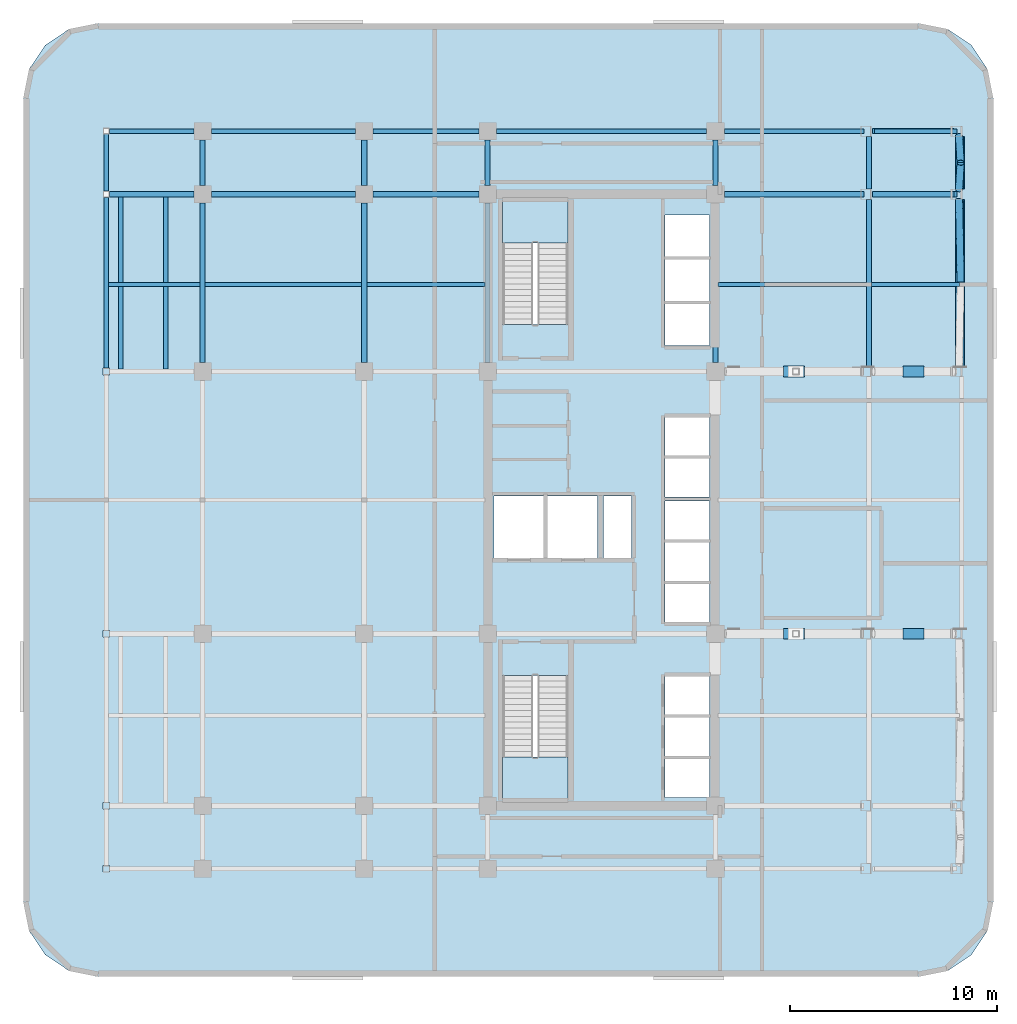
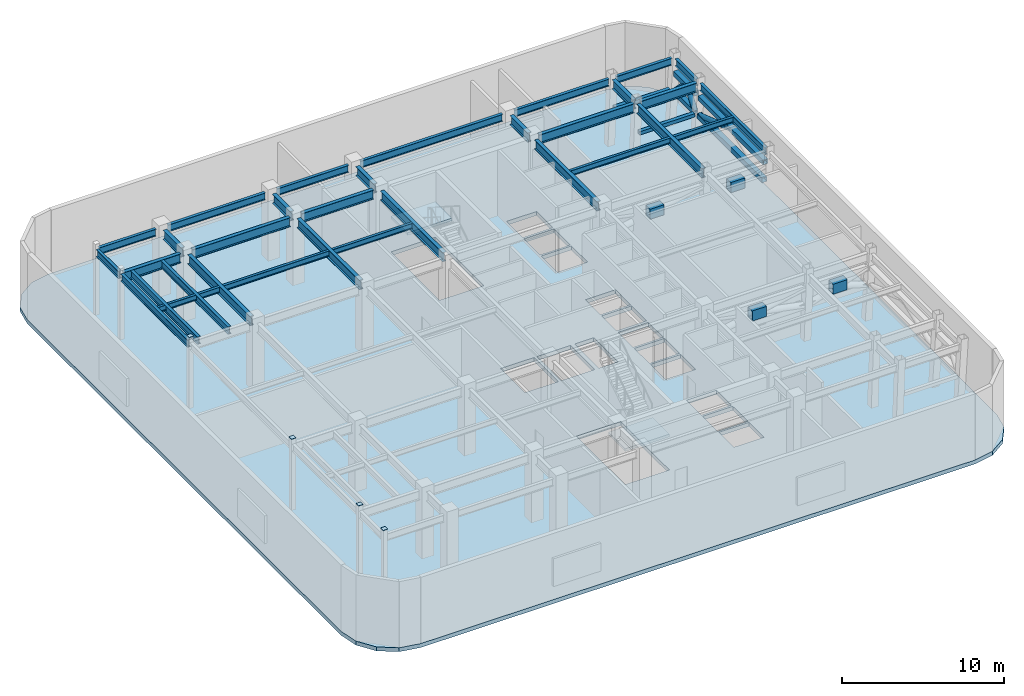
# One storey, part 6 of 14: 32 beams, 9 members, 8 plates, 3 slabs, 2 elements without a shape of their own.
"""IFC4 building model written with IfcOpenShell, lengths in metres."""

from ifc_helpers import new_model, si_unit, direction, frame, origin, origin_2d, place, context, subcontext, project, spatial, polyline, rectangle, hollow_rectangle, hollow_circle, i_section, outline, extrude, material, layer, layer_set, material_profile, profile_set, type_object, element, aggregate, save


model = new_model("IFC4")

# Units and contexts
model_context = context("Model", 3, precision=1e-05, world=origin(), true_north=direction((0.0, 1.0)))
body_context = subcontext(model_context, "Body", "Model", "MODEL_VIEW")
ifc_project = project(units=[si_unit("LENGTHUNIT", "METRE"), si_unit("AREAUNIT", "SQUARE_METRE"), si_unit("VOLUMEUNIT", "CUBIC_METRE"), si_unit("PLANEANGLEUNIT", "RADIAN"), si_unit("MASSUNIT", "GRAM", prefix="KILO")], contexts=[model_context])

# Site, building, storey
site_placement = place(None, origin())
site = spatial("IfcSite", under=ifc_project, at=site_placement, CompositionType="ELEMENT")
building_placement = place(site_placement, origin())
building = spatial("IfcBuilding", under=site, at=building_placement, Name="Ochreholt Gables", CompositionType="ELEMENT")
storey_placement = place(building_placement, frame((0.0, 0.0, 71.39990234375)))
storey = spatial("IfcBuildingStorey", under=building, at=storey_placement, Name="L18", CompositionType="ELEMENT", Elevation=71.39990234375)

# Beams
ifc_material_1 = material(Name="Steel CSA G40.21 350W", Category="steel")
ifc_material_profile_1 = material_profile(ifc_material_1, i_section(OverallWidth=0.2109375, OverallDepth=0.5390625, WebThickness=0.01171875, FlangeThickness=0.018798828125, at=origin_2d()), Name="W530X109")
ifc_profile_set_1 = profile_set([ifc_material_profile_1], Name="Steel CSA G40.21 350W")
beam_type_1 = type_object("IfcBeamType", Name="BM-G-W530A", PredefinedType="BEAM", material=ifc_profile_set_1)
for number, where, z_axis, x_axis, name in (
    (1, (6.5, 30.32763671875, 4.720703125), (0.0, 1.0, 0.0), (-1.0, 0.0, 0.0), "L18 Beam BTG-L18-19W2R"),
    (2, (8.679931640625, 30.32763671875, 4.720703125), (0.0, 1.0, 0.0), (-1.0, 0.0, 0.0), "L18 Beam BTG-L18-19W2E"),
):
    element("IfcBeam", number, at=place(storey_placement, frame(where, z_axis=z_axis, x_axis=x_axis)), inside=storey, type_object=beam_type_1, Name=name, PredefinedType="BEAM", context=body_context, shape_type="SweptSolid", body=[
        extrude(i_section(OverallWidth=0.2109375, OverallDepth=0.5390625, WebThickness=0.01171875, FlangeThickness=0.018798828125, at=origin_2d()), origin(), (0.0, 0.0, 1.0), 8.294677734375),
    ])
ifc_material_profile_2 = material_profile(ifc_material_1, i_section(OverallWidth=0.256103515625, OverallDepth=0.693115234375, WebThickness=0.014404296875, FlangeThickness=0.023681640625, at=origin_2d()), Name="W690X170")
ifc_profile_set_2 = profile_set([ifc_material_profile_2], Name="Steel CSA G40.21 350W")
beam_type_2 = type_object("IfcBeamType", Name="BM-G-W690", PredefinedType="BEAM", material=ifc_profile_set_2)
beam_1_placement = place(storey_placement, frame((5.9521484375, 38.75, 4.6435546875), z_axis=(1.0, 0.0, 0.0), x_axis=(0.0, 1.0, 0.0)))
element("IfcBeam", 3, at=beam_1_placement, inside=storey, type_object=beam_type_2, Name="L18 Beam TBG-L18-WTW2-Y5", PredefinedType="BEAM", context=body_context, shape_type="SweptSolid", body=[
    extrude(i_section(OverallWidth=0.256103515625, OverallDepth=0.693115234375, WebThickness=0.014404296875, FlangeThickness=0.023681640625, at=origin_2d()), origin(), (0.0, 0.0, 1.0), 4.0732421875),
])
beam_2_placement = place(storey_placement, frame((10.87451171875, 38.75, 4.6435546875), z_axis=(1.0, 0.0, 0.0), x_axis=(0.0, 1.0, 0.0)))
element("IfcBeam", 4, at=beam_2_placement, inside=storey, type_object=beam_type_2, Name="L18 Beam TBG-L18-W2W3-Y5", PredefinedType="BEAM", context=body_context, shape_type="SweptSolid", body=[
    extrude(i_section(OverallWidth=0.256103515625, OverallDepth=0.693115234375, WebThickness=0.014404296875, FlangeThickness=0.023681640625, at=origin_2d()), origin(), (0.0, 0.0, 1.0), 6.950927734375),
])
beam_3_placement = place(storey_placement, frame((18.674560546875, 38.75, 4.6435546875), z_axis=(1.0, 0.0, 0.0), x_axis=(0.0, 1.0, 0.0)))
element("IfcBeam", 5, at=beam_3_placement, inside=storey, type_object=beam_type_2, Name="L18 Beam TBG-L18-W3C1-Y5", PredefinedType="BEAM", context=body_context, shape_type="SweptSolid", body=[
    extrude(i_section(OverallWidth=0.256103515625, OverallDepth=0.693115234375, WebThickness=0.014404296875, FlangeThickness=0.023681640625, at=origin_2d()), origin(), (0.0, 0.0, 1.0), 5.100830078125),
])
beam_4_placement = place(storey_placement, frame((35.62451171875, 38.75, 4.6435546875), z_axis=(1.0, 0.0, 0.0), x_axis=(0.0, 1.0, 0.0)))
element("IfcBeam", 6, at=beam_4_placement, inside=storey, type_object=beam_type_2, Name="L18 Beam TBG-L18-C2EM-Y5", PredefinedType="BEAM", context=body_context, shape_type="SweptSolid", body=[
    extrude(i_section(OverallWidth=0.256103515625, OverallDepth=0.693115234375, WebThickness=0.014404296875, FlangeThickness=0.023681640625, at=origin_2d()), origin(), (0.0, 0.0, 1.0), 6.75),
])
beam_5_placement = place(storey_placement, frame((42.87353515625, 38.75, 4.6435546875), z_axis=(1.0, 0.0, 0.0), x_axis=(0.0, 1.0, 0.0)))
element("IfcBeam", 7, at=beam_5_placement, inside=storey, type_object=beam_type_2, Name="L18 Beam TBG-L18-EMEE-Y5", PredefinedType="BEAM", context=body_context, shape_type="SweptSolid", body=[
    extrude(i_section(OverallWidth=0.256103515625, OverallDepth=0.693115234375, WebThickness=0.014404296875, FlangeThickness=0.023681640625, at=origin_2d()), origin(), (0.0, 0.0, 1.0), 3.988037109375),
])
beam_6_placement = place(storey_placement, frame((10.449951171875, 30.62451171875, 4.6435546875), z_axis=(0.0, 1.0, 0.0), x_axis=(-1.0, 0.0, 0.0)))
element("IfcBeam", 8, at=beam_6_placement, inside=storey, type_object=beam_type_2, Name="L18 Beam TBN-L18-W2-Y4Y5", PredefinedType="BEAM", context=body_context, shape_type="SweptSolid", body=[
    extrude(i_section(OverallWidth=0.256103515625, OverallDepth=0.693115234375, WebThickness=0.014404296875, FlangeThickness=0.023681640625, at=origin_2d()), origin(), (0.0, 0.0, 1.0), 7.700927734375),
])
beam_7_placement = place(storey_placement, frame((10.449951171875, 39.174560546875, 4.6435546875), z_axis=(0.0, 1.0, 0.0), x_axis=(-1.0, 0.0, 0.0)))
element("IfcBeam", 9, at=beam_7_placement, inside=storey, type_object=beam_type_2, Name="L18 Beam TBN-L18-W2-Y5Y6", PredefinedType="BEAM", context=body_context, shape_type="SweptSolid", body=[
    extrude(i_section(OverallWidth=0.256103515625, OverallDepth=0.693115234375, WebThickness=0.014404296875, FlangeThickness=0.023681640625, at=origin_2d()), origin(), (0.0, 0.0, 1.0), 2.200927734375),
])
beam_8_placement = place(storey_placement, frame((18.25, 30.62451171875, 4.6435546875), z_axis=(0.0, 1.0, 0.0), x_axis=(-1.0, 0.0, 0.0)))
element("IfcBeam", 10, at=beam_8_placement, inside=storey, type_object=beam_type_2, Name="L18 Beam TBN-L18-W3-Y4Y5", PredefinedType="BEAM", context=body_context, shape_type="SweptSolid", body=[
    extrude(i_section(OverallWidth=0.256103515625, OverallDepth=0.693115234375, WebThickness=0.014404296875, FlangeThickness=0.023681640625, at=origin_2d()), origin(), (0.0, 0.0, 1.0), 7.700927734375),
])
beam_9_placement = place(storey_placement, frame((18.25, 39.174560546875, 4.6435546875), z_axis=(0.0, 1.0, 0.0), x_axis=(-1.0, 0.0, 0.0)))
element("IfcBeam", 11, at=beam_9_placement, inside=storey, type_object=beam_type_2, Name="L18 Beam TBN-L18-W3-Y5Y6", PredefinedType="BEAM", context=body_context, shape_type="SweptSolid", body=[
    extrude(i_section(OverallWidth=0.256103515625, OverallDepth=0.693115234375, WebThickness=0.014404296875, FlangeThickness=0.023681640625, at=origin_2d()), origin(), (0.0, 0.0, 1.0), 2.200927734375),
])
beam_10_placement = place(storey_placement, frame((24.199951171875, 30.62451171875, 4.6435546875), z_axis=(0.0, 1.0, 0.0), x_axis=(-1.0, 0.0, 0.0)))
element("IfcBeam", 12, at=beam_10_placement, inside=storey, type_object=beam_type_2, Name="L18 Beam TBN-L18-C1-Y4Y5", PredefinedType="BEAM", context=body_context, shape_type="SweptSolid", body=[
    extrude(i_section(OverallWidth=0.256103515625, OverallDepth=0.693115234375, WebThickness=0.014404296875, FlangeThickness=0.023681640625, at=origin_2d()), origin(), (0.0, 0.0, 1.0), 7.700927734375),
])
beam_11_placement = place(storey_placement, frame((24.199951171875, 39.174560546875, 4.6435546875), z_axis=(0.0, 1.0, 0.0), x_axis=(-1.0, 0.0, 0.0)))
element("IfcBeam", 13, at=beam_11_placement, inside=storey, type_object=beam_type_2, Name="L18 Beam TBN-L18-C1-Y5Y6", PredefinedType="BEAM", context=body_context, shape_type="SweptSolid", body=[
    extrude(i_section(OverallWidth=0.256103515625, OverallDepth=0.693115234375, WebThickness=0.014404296875, FlangeThickness=0.023681640625, at=origin_2d()), origin(), (0.0, 0.0, 1.0), 2.200927734375),
])
beam_12_placement = place(storey_placement, frame((35.199951171875, 30.62451171875, 4.6435546875), z_axis=(0.0, 1.0, 0.0), x_axis=(-1.0, 0.0, 0.0)))
element("IfcBeam", 14, at=beam_12_placement, inside=storey, type_object=beam_type_2, Name="L18 Beam TBN-L18-C2-Y4Y5", PredefinedType="BEAM", context=body_context, shape_type="SweptSolid", body=[
    extrude(i_section(OverallWidth=0.256103515625, OverallDepth=0.693115234375, WebThickness=0.014404296875, FlangeThickness=0.023681640625, at=origin_2d()), origin(), (0.0, 0.0, 1.0), 7.700927734375),
])
beam_13_placement = place(storey_placement, frame((35.199951171875, 39.174560546875, 4.6435546875), z_axis=(0.0, 1.0, 0.0), x_axis=(-1.0, 0.0, 0.0)))
element("IfcBeam", 15, at=beam_13_placement, inside=storey, type_object=beam_type_2, Name="L18 Beam TBN-L18-C2-Y5Y6", PredefinedType="BEAM", context=body_context, shape_type="SweptSolid", body=[
    extrude(i_section(OverallWidth=0.256103515625, OverallDepth=0.693115234375, WebThickness=0.014404296875, FlangeThickness=0.023681640625, at=origin_2d()), origin(), (0.0, 0.0, 1.0), 2.200927734375),
])
beam_14_placement = place(storey_placement, frame((42.600830078125, 30.44970703125, 4.6435546875), z_axis=(0.0, 1.0, 0.0), x_axis=(-1.0, 0.0, 0.0)))
element("IfcBeam", 16, at=beam_14_placement, inside=storey, type_object=beam_type_2, Name="L18 Beam TBN-L18-EM-Y4Y5", PredefinedType="BEAM", context=body_context, shape_type="SweptSolid", body=[
    extrude(i_section(OverallWidth=0.256103515625, OverallDepth=0.693115234375, WebThickness=0.014404296875, FlangeThickness=0.023681640625, at=origin_2d()), origin(), (0.0, 0.0, 1.0), 8.05078125),
])
beam_15_placement = place(storey_placement, frame((42.600830078125, 38.99951171875, 4.6435546875), z_axis=(0.0, 1.0, 0.0), x_axis=(-1.0, 0.0, 0.0)))
element("IfcBeam", 17, at=beam_15_placement, inside=storey, type_object=beam_type_2, Name="L18 Beam TBN-L18-EM-Y5Y6", PredefinedType="BEAM", context=body_context, shape_type="SweptSolid", body=[
    extrude(i_section(OverallWidth=0.256103515625, OverallDepth=0.693115234375, WebThickness=0.014404296875, FlangeThickness=0.023681640625, at=origin_2d()), origin(), (0.0, 0.0, 1.0), 2.55078125),
])
ifc_material_profile_3 = material_profile(ifc_material_1, i_section(OverallWidth=0.178955078125, OverallDepth=0.409912109375, WebThickness=0.0087890625, FlangeThickness=0.014404296875, at=origin_2d()), Name="W410X67")
ifc_profile_set_3 = profile_set([ifc_material_profile_3], Name="Steel CSA G40.21 350W")
beam_type_3 = type_object("IfcBeamType", Name="BM-J-W410", PredefinedType="JOIST", material=ifc_profile_set_3)
beam_16_placement = place(storey_placement, frame((5.904052734375, 34.39990234375, 4.78515625), z_axis=(1.0, 0.0, 0.0), x_axis=(0.0, 1.0, 0.0)))
element("IfcBeam", 18, at=beam_16_placement, inside=storey, type_object=beam_type_3, Name="L18 Beam TBJ-L18-J3-WTW2", PredefinedType="JOIST", context=body_context, shape_type="SweptSolid", body=[
    extrude(i_section(OverallWidth=0.178955078125, OverallDepth=0.409912109375, WebThickness=0.0087890625, FlangeThickness=0.014404296875, at=origin_2d()), origin(), (0.0, 0.0, 1.0), 4.41845703125),
])
beam_17_placement = place(storey_placement, frame((10.57763671875, 34.39990234375, 4.78515625), z_axis=(1.0, 0.0, 0.0), x_axis=(0.0, 1.0, 0.0)))
element("IfcBeam", 19, at=beam_17_placement, inside=storey, type_object=beam_type_3, Name="L18 Beam TBJ-L18-J3-W2W3", PredefinedType="JOIST", context=body_context, shape_type="SweptSolid", body=[
    extrude(i_section(OverallWidth=0.178955078125, OverallDepth=0.409912109375, WebThickness=0.0087890625, FlangeThickness=0.014404296875, at=origin_2d()), origin(), (0.0, 0.0, 1.0), 7.544677734375),
])
beam_18_placement = place(storey_placement, frame((18.377685546875, 34.39990234375, 4.78515625), z_axis=(1.0, 0.0, 0.0), x_axis=(0.0, 1.0, 0.0)))
element("IfcBeam", 20, at=beam_18_placement, inside=storey, type_object=beam_type_3, Name="L18 Beam TBJ-L18-J3-W3C1", PredefinedType="JOIST", context=body_context, shape_type="SweptSolid", body=[
    extrude(i_section(OverallWidth=0.178955078125, OverallDepth=0.409912109375, WebThickness=0.0087890625, FlangeThickness=0.014404296875, at=origin_2d()), origin(), (0.0, 0.0, 1.0), 5.69482421875),
])
beam_19_placement = place(storey_placement, frame((35.32763671875, 34.39990234375, 4.78515625), z_axis=(1.0, 0.0, 0.0), x_axis=(0.0, 1.0, 0.0)))
element("IfcBeam", 21, at=beam_19_placement, inside=storey, type_object=beam_type_3, Name="L18 Beam TBJ-L18-J3-C2EM", PredefinedType="JOIST", context=body_context, shape_type="SweptSolid", body=[
    extrude(i_section(OverallWidth=0.178955078125, OverallDepth=0.409912109375, WebThickness=0.0087890625, FlangeThickness=0.014404296875, at=origin_2d()), origin(), (0.0, 0.0, 1.0), 7.145751953125),
])
beam_20_placement = place(storey_placement, frame((42.728515625, 34.39990234375, 4.78515625), z_axis=(1.0, 0.0, 0.0), x_axis=(0.0, 1.0, 0.0)))
element("IfcBeam", 22, at=beam_20_placement, inside=storey, type_object=beam_type_3, Name="L18 Beam TBJ-L18-J3-EMEE", PredefinedType="JOIST", context=body_context, shape_type="SweptSolid", body=[
    extrude(i_section(OverallWidth=0.178955078125, OverallDepth=0.409912109375, WebThickness=0.0087890625, FlangeThickness=0.014404296875, at=origin_2d()), origin(), (0.0, 0.0, 1.0), 4.240234375),
])
ifc_material_profile_4 = material_profile(ifc_material_1, i_section(OverallWidth=0.208984375, OverallDepth=0.532958984375, WebThickness=0.01025390625, FlangeThickness=0.015625, at=origin_2d()), Name="W530X92")
ifc_profile_set_4 = profile_set([ifc_material_profile_4], Name="Steel CSA G40.21 350W")
beam_type_4 = type_object("IfcBeamType", Name="BM-SP-W530B", PredefinedType="SPANDREL", material=ifc_profile_set_4)
beam_21_placement = place(storey_placement, frame((5.9521484375, 41.800048828125, 4.7236328125), z_axis=(1.0, 0.0, 0.0), x_axis=(0.0, 1.0, 0.0)))
element("IfcBeam", 23, at=beam_21_placement, inside=storey, type_object=beam_type_4, Name="L18 Beam TBG-L18-WTW2-Y6", PredefinedType="SPANDREL", context=body_context, shape_type="SweptSolid", body=[
    extrude(i_section(OverallWidth=0.208984375, OverallDepth=0.532958984375, WebThickness=0.01025390625, FlangeThickness=0.015625, at=origin_2d()), origin(), (0.0, 0.0, 1.0), 4.0732421875),
])
beam_22_placement = place(storey_placement, frame((10.87451171875, 41.800048828125, 4.7236328125), z_axis=(1.0, 0.0, 0.0), x_axis=(0.0, 1.0, 0.0)))
element("IfcBeam", 24, at=beam_22_placement, inside=storey, type_object=beam_type_4, Name="L18 Beam TBG-L18-W2W3-Y6", PredefinedType="SPANDREL", context=body_context, shape_type="SweptSolid", body=[
    extrude(i_section(OverallWidth=0.208984375, OverallDepth=0.532958984375, WebThickness=0.01025390625, FlangeThickness=0.015625, at=origin_2d()), origin(), (0.0, 0.0, 1.0), 6.950927734375),
])
beam_23_placement = place(storey_placement, frame((18.674560546875, 41.800048828125, 4.7236328125), z_axis=(1.0, 0.0, 0.0), x_axis=(0.0, 1.0, 0.0)))
element("IfcBeam", 25, at=beam_23_placement, inside=storey, type_object=beam_type_4, Name="L18 Beam TBG-L18-W3C1-Y6", PredefinedType="SPANDREL", context=body_context, shape_type="SweptSolid", body=[
    extrude(i_section(OverallWidth=0.208984375, OverallDepth=0.532958984375, WebThickness=0.01025390625, FlangeThickness=0.015625, at=origin_2d()), origin(), (0.0, 0.0, 1.0), 5.100830078125),
])
beam_24_placement = place(storey_placement, frame((24.62451171875, 41.800048828125, 4.7236328125), z_axis=(1.0, 0.0, 0.0), x_axis=(0.0, 1.0, 0.0)))
element("IfcBeam", 26, at=beam_24_placement, inside=storey, type_object=beam_type_4, Name="L18 Beam TBG-L18-C1C2-Y6", PredefinedType="SPANDREL", context=body_context, shape_type="SweptSolid", body=[
    extrude(i_section(OverallWidth=0.208984375, OverallDepth=0.532958984375, WebThickness=0.01025390625, FlangeThickness=0.015625, at=origin_2d()), origin(), (0.0, 0.0, 1.0), 10.15087890625),
])
beam_25_placement = place(storey_placement, frame((35.62451171875, 41.800048828125, 4.7236328125), z_axis=(1.0, 0.0, 0.0), x_axis=(0.0, 1.0, 0.0)))
element("IfcBeam", 27, at=beam_25_placement, inside=storey, type_object=beam_type_4, Name="L18 Beam TBG-L18-C2EM-Y6", PredefinedType="SPANDREL", context=body_context, shape_type="SweptSolid", body=[
    extrude(i_section(OverallWidth=0.208984375, OverallDepth=0.532958984375, WebThickness=0.01025390625, FlangeThickness=0.015625, at=origin_2d()), origin(), (0.0, 0.0, 1.0), 6.75),
])
beam_26_placement = place(storey_placement, frame((42.87353515625, 41.800048828125, 4.7236328125), z_axis=(1.0, 0.0, 0.0), x_axis=(0.0, 1.0, 0.0)))
element("IfcBeam", 28, at=beam_26_placement, inside=storey, type_object=beam_type_4, Name="L18 Beam TBG-L18-EMEE-Y6", PredefinedType="SPANDREL", context=body_context, shape_type="SweptSolid", body=[
    extrude(i_section(OverallWidth=0.208984375, OverallDepth=0.532958984375, WebThickness=0.01025390625, FlangeThickness=0.015625, at=origin_2d()), origin(), (0.0, 0.0, 1.0), 3.988037109375),
])
beam_27_placement = place(storey_placement, frame((5.800048828125, 30.35205078125, 4.7236328125), z_axis=(0.0, 1.0, 0.0), x_axis=(-1.0, 0.0, 0.0)))
element("IfcBeam", 29, at=beam_27_placement, inside=storey, type_object=beam_type_4, Name="L18 Beam TBN-L18-WT-Y4Y5", PredefinedType="SPANDREL", context=body_context, shape_type="SweptSolid", body=[
    extrude(i_section(OverallWidth=0.208984375, OverallDepth=0.532958984375, WebThickness=0.01025390625, FlangeThickness=0.015625, at=origin_2d()), origin(), (0.0, 0.0, 1.0), 8.245849609375),
])
beam_28_placement = place(storey_placement, frame((5.800048828125, 38.902099609375, 4.7236328125), z_axis=(0.0, 1.0, 0.0), x_axis=(-1.0, 0.0, 0.0)))
element("IfcBeam", 30, at=beam_28_placement, inside=storey, type_object=beam_type_4, Name="L18 Beam TBN-L18-WT-Y5Y6", PredefinedType="SPANDREL", context=body_context, shape_type="SweptSolid", body=[
    extrude(i_section(OverallWidth=0.208984375, OverallDepth=0.532958984375, WebThickness=0.01025390625, FlangeThickness=0.015625, at=origin_2d()), origin(), (0.0, 0.0, 1.0), 2.745849609375),
])
beam_29_placement = place(storey_placement, frame((47.072998046875, 30.44970703125, 4.7236328125), z_axis=(0.0, 1.0, 0.0), x_axis=(-1.0, 0.0, 0.0)))
element("IfcBeam", 31, at=beam_29_placement, inside=storey, type_object=beam_type_4, Name="L18 Beam TBN-L18-EE-Y4Y5", PredefinedType="SPANDREL", context=body_context, shape_type="SweptSolid", body=[
    extrude(i_section(OverallWidth=0.208984375, OverallDepth=0.532958984375, WebThickness=0.01025390625, FlangeThickness=0.015625, at=origin_2d()), origin(), (0.0, 0.0, 1.0), 8.05078125),
])
beam_30_placement = place(storey_placement, frame((47.072998046875, 38.99951171875, 4.7236328125), z_axis=(0.0, 1.0, 0.0), x_axis=(-1.0, 0.0, 0.0)))
element("IfcBeam", 32, at=beam_30_placement, inside=storey, type_object=beam_type_4, Name="L18 Beam TBN-L18-EE-Y5Y6", PredefinedType="SPANDREL", context=body_context, shape_type="SweptSolid", body=[
    extrude(i_section(OverallWidth=0.208984375, OverallDepth=0.532958984375, WebThickness=0.01025390625, FlangeThickness=0.015625, at=origin_2d()), origin(), (0.0, 0.0, 1.0), 2.55078125),
])

# Members
ifc_material_profile_5 = material_profile(ifc_material_1, hollow_circle(Radius=0.177978515625, WallThickness=0.0126953125, at=origin_2d()), Name="CHS356X13")
ifc_profile_set_5 = profile_set([ifc_material_profile_5], Name="Steel CSA G40.21 350W")
member_type_1 = type_object("IfcMemberType", Name="MEM-BL-BR2", PredefinedType="BRACE", material=ifc_profile_set_5)
member_placement = place(storey_placement, frame((46.94873046875, 38.50048828125, 2.60009765625), z_axis=(0.018092998005, -0.950055258312, 0.311556815969), x_axis=(0.999818709423, 0.019040700798, 0.0)))
element("IfcMember", 33, at=member_placement, inside=storey, type_object=member_type_1, Name="L18 Belt Truss Diagonal 3B", PredefinedType="BRACE", context=body_context, shape_type="SweptSolid", body=[
    extrude(hollow_circle(Radius=0.177978515625, WallThickness=0.0126953125, at=origin_2d()), origin(), (0.0, 0.0, 1.0), 4.237060546875),
])
for number, where, z_axis, x_axis, name in (
    (34, (46.94873046875, 38.99951171875, 2.60009765625), (0.041728018373, 0.694226649625, 0.718545845046), (-0.998198442536, 0.059998910979, 0.0), "L18 Belt Truss Diagonal 4A"),
    (35, (46.94873046875, 41.55029296875, 2.60009765625), (0.041728018373, -0.694226649625, 0.718545845046), (0.998198442536, 0.059998910979, 0.0), "L18 Belt Truss Diagonal 4B"),
):
    element("IfcMember", number, at=place(storey_placement, frame(where, z_axis=z_axis, x_axis=x_axis)), inside=storey, type_object=member_type_1, Name=name, PredefinedType="BRACE", context=body_context, shape_type="SweptSolid", body=[
        extrude(hollow_circle(Radius=0.177978515625, WallThickness=0.0126953125, at=origin_2d()), origin(), (0.0, 0.0, 1.0), 1.837158203125),
    ])
ifc_material_profile_6 = material_profile(ifc_material_1, hollow_rectangle(XDim=0.35595703125, YDim=0.35595703125, WallThickness=0.01611328125, at=origin_2d()), Name="HSS356X356X16")
ifc_profile_set_6 = profile_set([ifc_material_profile_6], Name="Steel CSA G40.21 350W")
member_type_2 = type_object("IfcMemberType", Name="MEM-BL-CH2", PredefinedType="CHORD", material=ifc_profile_set_6)
for number, where, z_axis, x_axis, name in (
    (36, (46.94873046875, 30.44970703125, 2.60009765625), (0.0, 1.0, 0.0), (-1.0, 0.0, 0.0), "L18 Belt Truss Bottom Chord 3"),
    (37, (47.025390625, 30.44970703125, 3.920166015625), (0.0, 1.0, 0.0), (-1.0, 0.0, 0.0), "L18 Belt Truss Top Chord 3"),
):
    element("IfcMember", number, at=place(storey_placement, frame(where, z_axis=z_axis, x_axis=x_axis)), inside=storey, type_object=member_type_2, Name=name, PredefinedType="CHORD", context=body_context, shape_type="SweptSolid", body=[
        extrude(hollow_rectangle(XDim=0.35595703125, YDim=0.35595703125, WallThickness=0.01611328125, at=origin_2d()), origin(), (0.0, 0.0, 1.0), 8.05078125),
    ])
for number, where, z_axis, x_axis, name in (
    (38, (46.94873046875, 38.99951171875, 2.60009765625), (0.0, 1.0, 0.0), (-1.0, 0.0, 0.0), "L18 Belt Truss Bottom Chord 4"),
    (39, (47.025390625, 38.99951171875, 3.920166015625), (0.0, 1.0, 0.0), (-1.0, 0.0, 0.0), "L18 Belt Truss Top Chord 4"),
):
    element("IfcMember", number, at=place(storey_placement, frame(where, z_axis=z_axis, x_axis=x_axis)), inside=storey, type_object=member_type_2, Name=name, PredefinedType="CHORD", context=body_context, shape_type="SweptSolid", body=[
        extrude(hollow_rectangle(XDim=0.35595703125, YDim=0.35595703125, WallThickness=0.01611328125, at=origin_2d()), origin(), (0.0, 0.0, 1.0), 2.55078125),
    ])
ifc_material_profile_7 = material_profile(ifc_material_1, hollow_rectangle(XDim=0.25390625, YDim=0.25390625, WallThickness=0.0126953125, at=origin_2d()), Name="HSS254X254X13")
ifc_profile_set_7 = profile_set([ifc_material_profile_7], Name="Steel CSA G40.21 350W")
member_type_3 = type_object("IfcMemberType", Name="MEM-TB-ST1", PredefinedType="STRUT", material=ifc_profile_set_7)
for number, where, z_axis, x_axis, name in (
    (40, (42.775634765625, 38.75, 2.60009765625), (1.0, 0.0, 0.0), (0.0, 1.0, 0.0), "L18 Belt Lateral Tie Strut 3"),
    (41, (42.775634765625, 41.800048828125, 2.60009765625), (1.0, 0.0, 0.0), (0.0, 1.0, 0.0), "L18 Belt Lateral Tie Strut 4"),
):
    element("IfcMember", number, at=place(storey_placement, frame(where, z_axis=z_axis, x_axis=x_axis)), inside=storey, type_object=member_type_3, Name=name, PredefinedType="STRUT", context=body_context, shape_type="SweptSolid", body=[
        extrude(hollow_rectangle(XDim=0.25390625, YDim=0.25390625, WallThickness=0.0126953125, at=origin_2d()), origin(), (0.0, 0.0, 1.0), 3.923583984375),
    ])

# Stair, slab
ifc_material_2 = material(Name="Concrete 40 MPa", Category="concrete")
stair_type_1 = type_object("IfcStairType", Name="STAIR-CORE-ST-1", PredefinedType="HALF_TURN_STAIR", material=ifc_material_2)
stair_1_placement = place(storey_placement, origin())
stair_1 = element("IfcStair", 42, at=stair_1_placement, inside=storey, type_object=stair_type_1, Name="L18 Core Exit Stair 1", PredefinedType="HALF_TURN_STAIR")
ifc_layer_1 = layer(ifc_material_2, 0.199951171875, Name="Concrete 40 MPa")
ifc_layer_set_1 = layer_set([ifc_layer_1], Name="Concrete 40 MPa")
slab_type_1 = type_object("IfcSlabType", Name="LANDING-RC200", PredefinedType="LANDING", material=ifc_layer_set_1)
slab_1_placement = place(storey_placement, frame((0.0, 0.0, 2.5)))
slab_1 = element("IfcSlab", 43, at=slab_1_placement, type_object=slab_type_1, Name="ST-1 landing 1", PredefinedType="LANDING", context=body_context, shape_type="SweptSolid", body=[
    extrude(outline(polyline([(24.919921875, 11.592041015625), (24.919921875, 9.52001953125), (28.080078125, 9.52001953125), (28.080078125, 11.592041015625), (24.919921875, 11.592041015625)])), origin(), (0.0, 0.0, 1.0), 0.2001953125),
])
aggregate(stair_1, [slab_1])

stair_type_2 = type_object("IfcStairType", Name="STAIR-CORE-ST-2", PredefinedType="HALF_TURN_STAIR", material=ifc_material_2)
stair_2_placement = place(storey_placement, origin())
stair_2 = element("IfcStair", 44, at=stair_2_placement, inside=storey, type_object=stair_type_2, Name="L18 Core Exit Stair 2", PredefinedType="HALF_TURN_STAIR")
slab_2_placement = place(storey_placement, frame((0.0, 0.0, 2.5)))
slab_2 = element("IfcSlab", 45, at=slab_2_placement, type_object=slab_type_1, Name="ST-2 landing 1", PredefinedType="LANDING", context=body_context, shape_type="SweptSolid", body=[
    extrude(outline(polyline([(28.080078125, 36.407958984375), (28.080078125, 38.47998046875), (24.919921875, 38.47998046875), (24.919921875, 36.407958984375), (28.080078125, 36.407958984375)])), origin(), (0.0, 0.0, 1.0), 0.2001953125),
])
aggregate(stair_2, [slab_2])

# Plates
ifc_layer_2 = layer(ifc_material_1, 0.02490234375, Name="Steel CSA G40.21 350W")
ifc_layer_set_2 = layer_set([ifc_layer_2], Name="Steel CSA G40.21 350W")
plate_type_1 = type_object("IfcPlateType", Name="PL-ECP", PredefinedType="USERDEFINED", material=ifc_layer_set_2)
for number, where, z_axis, x_axis, name in (
    (46, (5.800048828125, 6.199951171875, 5.374755859375), (0.0, 0.0, 1.0), (1.0, 0.0, 0.0), "L18 Hollow Column Welded End Cap Plate WTY1"),
    (47, (5.800048828125, 9.25, 5.374755859375), (0.0, 0.0, 1.0), (1.0, 0.0, 0.0), "L18 Hollow Column Welded End Cap Plate WTY2"),
    (48, (5.800048828125, 17.550048828125, 5.374755859375), (0.0, 0.0, 1.0), (1.0, 0.0, 0.0), "L18 Hollow Column Welded End Cap Plate WTY3"),
    (49, (5.800048828125, 30.199951171875, 5.374755859375), (0.0, 0.0, 1.0), (1.0, 0.0, 0.0), "L18 Hollow Column Welded End Cap Plate WTY4"),
):
    element("IfcPlate", number, at=place(storey_placement, frame(where, z_axis=z_axis, x_axis=x_axis)), inside=storey, type_object=plate_type_1, Name=name, ObjectType="END CAP PLATE", PredefinedType="USERDEFINED", context=body_context, shape_type="SweptSolid", body=[
        extrude(rectangle(XDim=0.320068359375, YDim=0.320068359375, at=origin_2d()), origin(), (0.0, 0.0, 1.0), 0.02490234375),
    ])
ifc_layer_3 = layer(ifc_material_1, 0.0380859375, Name="Steel CSA G40.21 350W")
ifc_layer_set_3 = layer_set([ifc_layer_3], Name="Steel CSA G40.21 350W")
plate_type_2 = type_object("IfcPlateType", Name="PLT-GUSSET-38", PredefinedType="USERDEFINED", material=ifc_layer_set_3)
for number, where, z_axis, x_axis, name in (
    (50, (38.987060546875, 17.550048828125, 2.8779296875), (0.0, 0.0, 1.0), (1.0, 0.0, 0.0), "L18 Outrigger X-Brace Crossing Node Gusset S1"),
    (51, (44.75634765625, 17.550048828125, 2.87353515625), (0.0, 0.0, 1.0), (1.0, 0.0, 0.0), "L18 Outrigger X-Brace Crossing Node Gusset S2"),
    (52, (38.987060546875, 30.199951171875, 2.8779296875), (0.0, 0.0, 1.0), (1.0, 0.0, 0.0), "L18 Outrigger X-Brace Crossing Node Gusset N1"),
    (53, (44.75634765625, 30.199951171875, 2.87353515625), (0.0, 0.0, 1.0), (1.0, 0.0, 0.0), "L18 Outrigger X-Brace Crossing Node Gusset N2"),
):
    element("IfcPlate", number, at=place(storey_placement, frame(where, z_axis=z_axis, x_axis=x_axis)), inside=storey, type_object=plate_type_2, Name=name, ObjectType="GUSSET PLATE", PredefinedType="USERDEFINED", context=body_context, shape_type="SweptSolid", body=[
        extrude(rectangle(XDim=1.0, YDim=0.52001953125, at=origin_2d()), origin(), (0.0, 0.0, 1.0), 0.760009765625),
    ])

# Slab
ifc_material_3 = material(Name="Concrete 50 MPa", Category="concrete")
ifc_layer_4 = layer(ifc_material_3, 0.300048828125, Name="Concrete 50 MPa")
ifc_layer_set_4 = layer_set([ifc_layer_4], Name="Concrete 50 MPa")
slab_type_2 = type_object("IfcSlabType", Name="SLAB-TRN-300", PredefinedType="FLOOR", material=ifc_layer_set_4)
slab_3_placement = place(storey_placement, frame((0.0, 0.0, -0.2998046875)))
element("IfcSlab", 54, at=slab_3_placement, inside=storey, type_object=slab_type_2, Name="L18 Structural Floor Slab", PredefinedType="FLOOR", context=body_context, shape_type="SweptSolid", body=[
    extrude(outline(polyline([(1.800048828125, 4.60009765625), (2.073974609375, 3.222412109375), (2.8544921875, 2.054443359375), (4.022216796875, 1.27392578125), (5.39990234375, 1.0), (45.0, 1.0), (46.377685546875, 1.27392578125), (47.545654296875, 2.054443359375), (48.325927734375, 3.222412109375), (48.60009765625, 4.60009765625), (48.60009765625, 43.39990234375), (48.325927734375, 44.777587890625), (47.545654296875, 45.945556640625), (46.377685546875, 46.72607421875), (45.0, 47.0), (5.39990234375, 47.0), (4.022216796875, 46.72607421875), (2.8544921875, 45.945556640625), (2.073974609375, 44.777587890625), (1.800048828125, 43.39990234375), (1.800048828125, 4.60009765625)]), holes=[polyline([(24.919921875, 15.539306640625), (24.919921875, 9.52001953125), (28.080078125, 9.52001953125), (28.080078125, 15.539306640625), (24.919921875, 15.539306640625)]), polyline([(28.080078125, 32.460693359375), (28.080078125, 38.47998046875), (24.919921875, 38.47998046875), (24.919921875, 32.460693359375), (28.080078125, 32.460693359375)]), polyline([(24.5, 21.199951171875), (26.89990234375, 21.199951171875), (26.89990234375, 24.199951171875), (24.5, 24.199951171875), (24.5, 21.199951171875)]), polyline([(27.10009765625, 21.199951171875), (29.5, 21.199951171875), (29.5, 24.199951171875), (27.10009765625, 24.199951171875), (27.10009765625, 21.199951171875)]), polyline([(32.75, 9.64990234375), (34.89990234375, 9.64990234375), (34.89990234375, 11.5), (32.75, 11.5), (32.75, 9.64990234375)]), polyline([(32.75, 11.64990234375), (34.89990234375, 11.64990234375), (34.89990234375, 13.5), (32.75, 13.5), (32.75, 11.64990234375)]), polyline([(32.75, 13.64990234375), (34.89990234375, 13.64990234375), (34.89990234375, 15.5), (32.75, 15.5), (32.75, 13.64990234375)]), polyline([(32.75, 18.10009765625), (34.89990234375, 18.10009765625), (34.89990234375, 19.949951171875), (32.75, 19.949951171875), (32.75, 18.10009765625)]), polyline([(32.75, 20.10009765625), (34.89990234375, 20.10009765625), (34.89990234375, 21.949951171875), (32.75, 21.949951171875), (32.75, 20.10009765625)]), polyline([(32.75, 22.10009765625), (34.89990234375, 22.10009765625), (34.89990234375, 23.949951171875), (32.75, 23.949951171875), (32.75, 22.10009765625)]), polyline([(32.75, 24.14990234375), (34.89990234375, 24.14990234375), (34.89990234375, 26.0), (32.75, 26.0), (32.75, 24.14990234375)]), polyline([(32.75, 26.14990234375), (34.89990234375, 26.14990234375), (34.89990234375, 28.0), (32.75, 28.0), (32.75, 26.14990234375)]), polyline([(32.75, 31.449951171875), (34.89990234375, 31.449951171875), (34.89990234375, 33.449951171875), (32.75, 33.449951171875), (32.75, 31.449951171875)]), polyline([(32.75, 33.60009765625), (34.89990234375, 33.60009765625), (34.89990234375, 35.60009765625), (32.75, 35.60009765625), (32.75, 33.60009765625)]), polyline([(32.75, 35.75), (34.89990234375, 35.75), (34.89990234375, 37.75), (32.75, 37.75), (32.75, 35.75)]), polyline([(29.800048828125, 21.199951171875), (31.14990234375, 21.199951171875), (31.14990234375, 24.199951171875), (29.800048828125, 24.199951171875), (29.800048828125, 21.199951171875)])]), origin(), (0.0, 0.0, 1.0), 0.2998046875),
])

save(model, "model.ifc")
